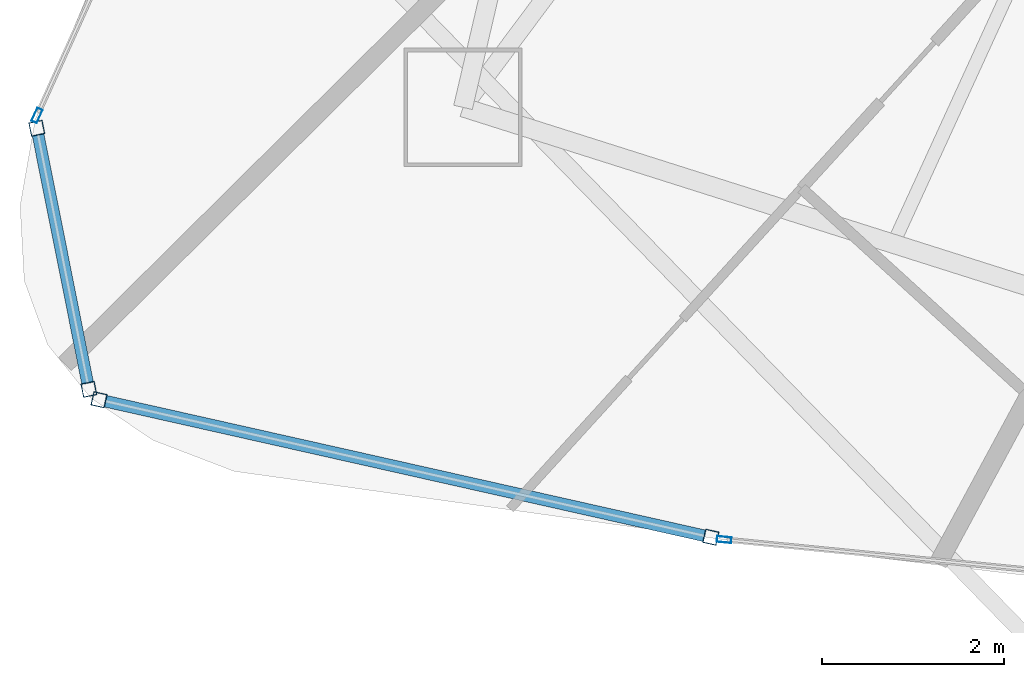
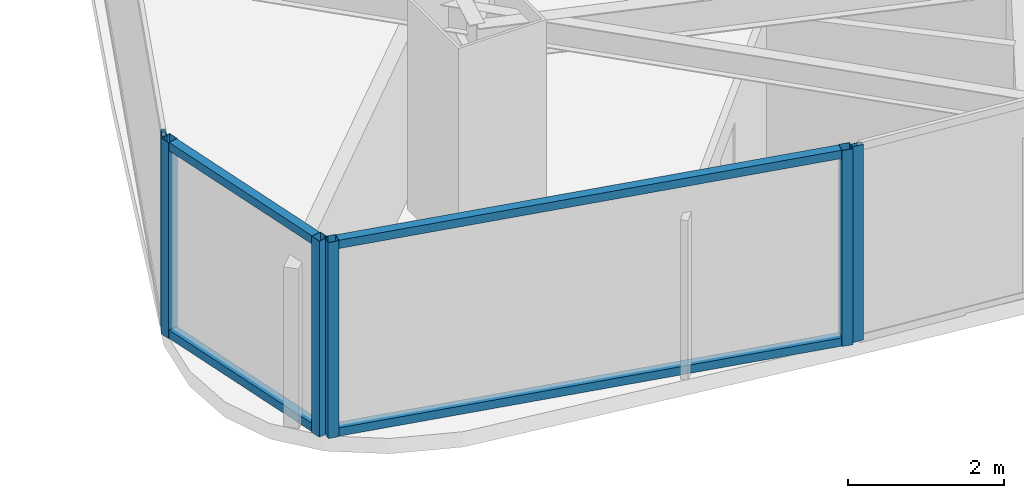
# One storey, part 2 of 33: 10 members, 4 elements without a shape of their own.
"""IFC4 building model written with IfcOpenShell, lengths in metres."""

from ifc_helpers import new_model, si_unit, direction, frame, origin, origin_2d, place, context, subcontext, project, spatial, hollow_rectangle, extrude, material, layer, layer_set, material_profile, profile_set, type_object, element, aggregate, save


model = new_model("IFC4")

# Units and contexts
model_context = context("Model", 3, precision=1e-05, world=origin(), true_north=direction((0.0, 1.0)))
body_context = subcontext(model_context, "Body", "Model", "MODEL_VIEW")
ifc_project = project(units=[si_unit("LENGTHUNIT", "METRE"), si_unit("AREAUNIT", "SQUARE_METRE"), si_unit("VOLUMEUNIT", "CUBIC_METRE"), si_unit("PLANEANGLEUNIT", "RADIAN"), si_unit("MASSUNIT", "GRAM", prefix="KILO")], contexts=[model_context])

# Site, building, storey
site_placement = place(None, origin())
site = spatial("IfcSite", under=ifc_project, at=site_placement, CompositionType="ELEMENT")
building_placement = place(site_placement, origin())
building = spatial("IfcBuilding", under=site, at=building_placement, Name="Orvanel Arch Residences", CompositionType="ELEMENT")
storey_placement = place(building_placement, frame((0.0, 0.0, 196.39990234375)))
storey = spatial("IfcBuildingStorey", under=building, at=storey_placement, Name="L55", CompositionType="ELEMENT", Elevation=196.39990234375)

# Curtain wall, members
ifc_material = material(Name="Bronze-anodised aluminium AA6063-T6", Category="aluminium")
ifc_layer_1 = layer(ifc_material, 0.18994140625)
ifc_layer_set_1 = layer_set([ifc_layer_1], Name="Bronze-anodised aluminium AA6063-T6")
curtain_wall_type_1 = type_object("IfcCurtainWallType", Name="CW5-CRN-SYS", PredefinedType="NOTDEFINED", material=ifc_layer_set_1)
curtain_wall_1_placement = place(storey_placement, origin())
curtain_wall_1 = element("IfcCurtainWall", 1, at=curtain_wall_1_placement, inside=storey, type_object=curtain_wall_type_1, Name="L55 CW5-CRN-SYS Unitised Curtain Wall", PredefinedType="NOTDEFINED")
ifc_material_profile_1 = material_profile(ifc_material, hollow_rectangle(XDim=0.14990234375, YDim=0.14990234375, WallThickness=0.0048828125, at=origin_2d()), Name="ALU150x150x5")
ifc_profile_set_1 = profile_set([ifc_material_profile_1], Name="Bronze-anodised aluminium AA6063-T6")
member_type_1 = type_object("IfcMemberType", Name="MUL-150x150", PredefinedType="MULLION", material=ifc_profile_set_1)
member_1_placement = place(storey_placement, frame((9.517578125, 10.121337890625, 0.0), z_axis=(0.0, 0.0, 1.0), x_axis=(0.980705582129, 0.195490565454, 0.0)))
member_1 = element("IfcMember", 2, at=member_1_placement, type_object=member_type_1, Name="CW-S5 mullion 1", PredefinedType="MULLION", context=body_context, shape_type="SweptSolid", body=[
    extrude(hollow_rectangle(XDim=0.14990234375, YDim=0.14990234375, WallThickness=0.0048828125, at=origin_2d()), origin(), (0.0, 0.0, 1.0), 3.06005859375),
])
member_2_placement = place(storey_placement, frame((10.08935546875, 7.253662109375, 0.0), z_axis=(0.0, 0.0, 1.0), x_axis=(0.980705582129, 0.195490565454, 0.0)))
member_2 = element("IfcMember", 3, at=member_2_placement, type_object=member_type_1, Name="CW-S5 mullion 2", PredefinedType="MULLION", context=body_context, shape_type="SweptSolid", body=[
    extrude(hollow_rectangle(XDim=0.14990234375, YDim=0.14990234375, WallThickness=0.0048828125, at=origin_2d()), origin(), (0.0, 0.0, 1.0), 3.06005859375),
])

curtain_wall_2_placement = place(storey_placement, origin())
curtain_wall_2 = element("IfcCurtainWall", 4, at=curtain_wall_2_placement, inside=storey, type_object=curtain_wall_type_1, Name="L55 CW5-CRN-SYS Unitised Curtain Wall", PredefinedType="NOTDEFINED")
member_3_placement = place(storey_placement, frame((10.201171875, 7.1396484375, 0.0), z_axis=(0.0, 0.0, 1.0), x_axis=(0.219261968278, 0.975666023426, 0.0)))
member_3 = element("IfcMember", 5, at=member_3_placement, type_object=member_type_1, Name="CW-S5 mullion 1", PredefinedType="MULLION", context=body_context, shape_type="SweptSolid", body=[
    extrude(hollow_rectangle(XDim=0.14990234375, YDim=0.14990234375, WallThickness=0.0048828125, at=origin_2d()), origin(), (0.0, 0.0, 1.0), 3.06005859375),
])
member_4_placement = place(storey_placement, frame((16.9208984375, 5.62939453125, 0.0), z_axis=(0.0, 0.0, 1.0), x_axis=(0.219261968278, 0.975666023426, 0.0)))
member_4 = element("IfcMember", 6, at=member_4_placement, type_object=member_type_1, Name="CW-S5 mullion 2", PredefinedType="MULLION", context=body_context, shape_type="SweptSolid", body=[
    extrude(hollow_rectangle(XDim=0.14990234375, YDim=0.14990234375, WallThickness=0.0048828125, at=origin_2d()), origin(), (0.0, 0.0, 1.0), 3.06005859375),
])

# Curtain wall, member
ifc_layer_2 = layer(ifc_material, 0.175048828125)
ifc_layer_set_2 = layer_set([ifc_layer_2], Name="Bronze-anodised aluminium AA6063-T6")
curtain_wall_type_2 = type_object("IfcCurtainWallType", Name="CW4-HI-SYS", PredefinedType="NOTDEFINED", material=ifc_layer_set_2)
curtain_wall_3_placement = place(storey_placement, origin())
curtain_wall_3 = element("IfcCurtainWall", 7, at=curtain_wall_3_placement, inside=storey, type_object=curtain_wall_type_2, Name="L55 CW4-HI-SYS Unitised Curtain Wall", PredefinedType="NOTDEFINED")
ifc_material_profile_2 = material_profile(ifc_material, hollow_rectangle(XDim=0.06494140625, YDim=0.159912109375, WallThickness=0.00390625, at=origin_2d()), Name="ALU160x65x4")
ifc_profile_set_2 = profile_set([ifc_material_profile_2], Name="Bronze-anodised aluminium AA6063-T6")
member_type_2 = type_object("IfcMemberType", Name="MUL-160x65", PredefinedType="MULLION", material=ifc_profile_set_2)
member_5_placement = place(storey_placement, frame((9.520263671875, 10.2626953125, 0.0), z_axis=(0.0, 0.0, 1.0), x_axis=(0.911289439148, -0.41176638777, 0.0)))
member_5 = element("IfcMember", 8, at=member_5_placement, type_object=member_type_2, Name="CW-S4 mullion 3", PredefinedType="MULLION", context=body_context, shape_type="SweptSolid", body=[
    extrude(hollow_rectangle(XDim=0.06494140625, YDim=0.159912109375, WallThickness=0.00390625, at=origin_2d()), origin(), (0.0, 0.0, 1.0), 3.06005859375),
])
aggregate(curtain_wall_3, [member_5])

curtain_wall_4_placement = place(storey_placement, origin())
curtain_wall_4 = element("IfcCurtainWall", 9, at=curtain_wall_4_placement, inside=storey, type_object=curtain_wall_type_2, Name="L55 CW4-HI-SYS Unitised Curtain Wall", PredefinedType="NOTDEFINED")
member_6_placement = place(storey_placement, frame((17.06640625, 5.603759765625, 0.0), z_axis=(0.0, 0.0, 1.0), x_axis=(0.098417861591, 0.99514517761, 0.0)))
member_6 = element("IfcMember", 10, at=member_6_placement, type_object=member_type_2, Name="CW-S4 mullion 1", PredefinedType="MULLION", context=body_context, shape_type="SweptSolid", body=[
    extrude(hollow_rectangle(XDim=0.06494140625, YDim=0.159912109375, WallThickness=0.00390625, at=origin_2d()), origin(), (0.0, 0.0, 1.0), 3.06005859375),
])
aggregate(curtain_wall_4, [member_6])

# Member
ifc_material_profile_3 = material_profile(ifc_material, hollow_rectangle(XDim=0.1298828125, YDim=0.1298828125, WallThickness=0.00439453125, at=origin_2d()), Name="ALU130x130x4.5")
ifc_profile_set_3 = profile_set([ifc_material_profile_3], Name="Bronze-anodised aluminium AA6063-T6")
member_type_3 = type_object("IfcMemberType", Name="TRN-130x130", PredefinedType="USERDEFINED", material=ifc_profile_set_3)
member_7_placement = place(storey_placement, frame((9.5322265625, 10.0478515625, 0.065185546875), z_axis=(0.19554070292, -0.980695586562, 0.0), x_axis=(0.980695586562, 0.19554070292, 0.0)))
member_7 = element("IfcMember", 11, at=member_7_placement, type_object=member_type_3, Name="CW-S5 transom 1.1", ObjectType="TRANSOM", PredefinedType="USERDEFINED", context=body_context, shape_type="SweptSolid", body=[
    extrude(hollow_rectangle(XDim=0.1298828125, YDim=0.1298828125, WallThickness=0.00439453125, at=origin_2d()), origin(), (0.0, 0.0, 1.0), 2.774169921875),
])

member_8_placement = place(storey_placement, frame((9.5322265625, 10.0478515625, 2.9951171875), z_axis=(0.19554070292, -0.980695586562, 0.0), x_axis=(0.980695586562, 0.19554070292, 0.0)))
member_8 = element("IfcMember", 12, at=member_8_placement, type_object=member_type_3, Name="CW-S5 transom 1.2", ObjectType="TRANSOM", PredefinedType="USERDEFINED", context=body_context, shape_type="SweptSolid", body=[
    extrude(hollow_rectangle(XDim=0.1298828125, YDim=0.1298828125, WallThickness=0.00439453125, at=origin_2d()), origin(), (0.0, 0.0, 1.0), 2.774169921875),
])

aggregate(curtain_wall_1, [member_1, member_2, member_7, member_8])

member_9_placement = place(storey_placement, frame((10.2744140625, 7.123046875, 0.065185546875), z_axis=(0.975671027253, -0.219239701192, 0.0), x_axis=(0.219239701192, 0.975671027253, 0.0)))
member_9 = element("IfcMember", 13, at=member_9_placement, type_object=member_type_3, Name="CW-S5 transom 1.1", ObjectType="TRANSOM", PredefinedType="USERDEFINED", context=body_context, shape_type="SweptSolid", body=[
    extrude(hollow_rectangle(XDim=0.1298828125, YDim=0.1298828125, WallThickness=0.00439453125, at=origin_2d()), origin(), (0.0, 0.0, 1.0), 6.737060546875),
])

member_10_placement = place(storey_placement, frame((10.2744140625, 7.123046875, 2.9951171875), z_axis=(0.975671027253, -0.219239701192, 0.0), x_axis=(0.219239701192, 0.975671027253, 0.0)))
member_10 = element("IfcMember", 14, at=member_10_placement, type_object=member_type_3, Name="CW-S5 transom 1.2", ObjectType="TRANSOM", PredefinedType="USERDEFINED", context=body_context, shape_type="SweptSolid", body=[
    extrude(hollow_rectangle(XDim=0.1298828125, YDim=0.1298828125, WallThickness=0.00439453125, at=origin_2d()), origin(), (0.0, 0.0, 1.0), 6.737060546875),
])

aggregate(curtain_wall_2, [member_3, member_4, member_9, member_10])

save(model, "model.ifc")
